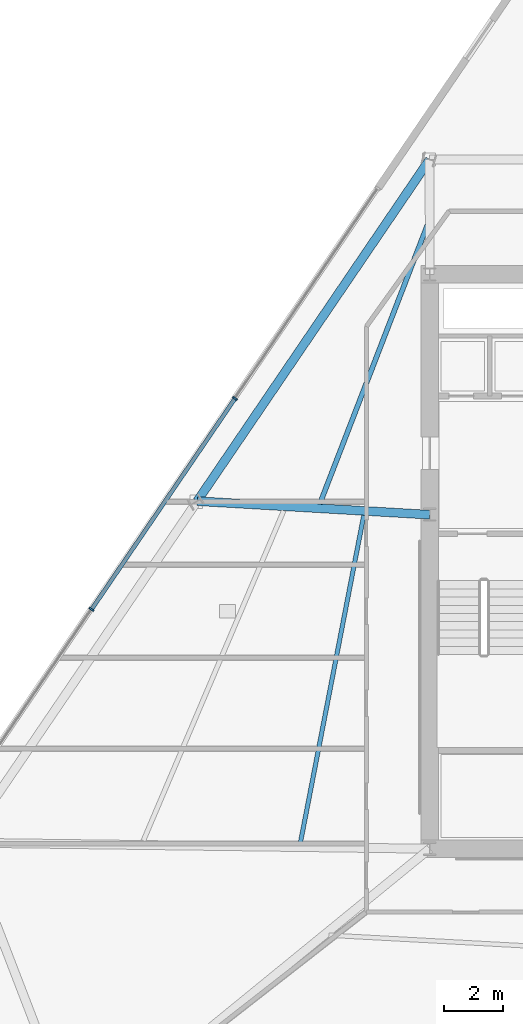
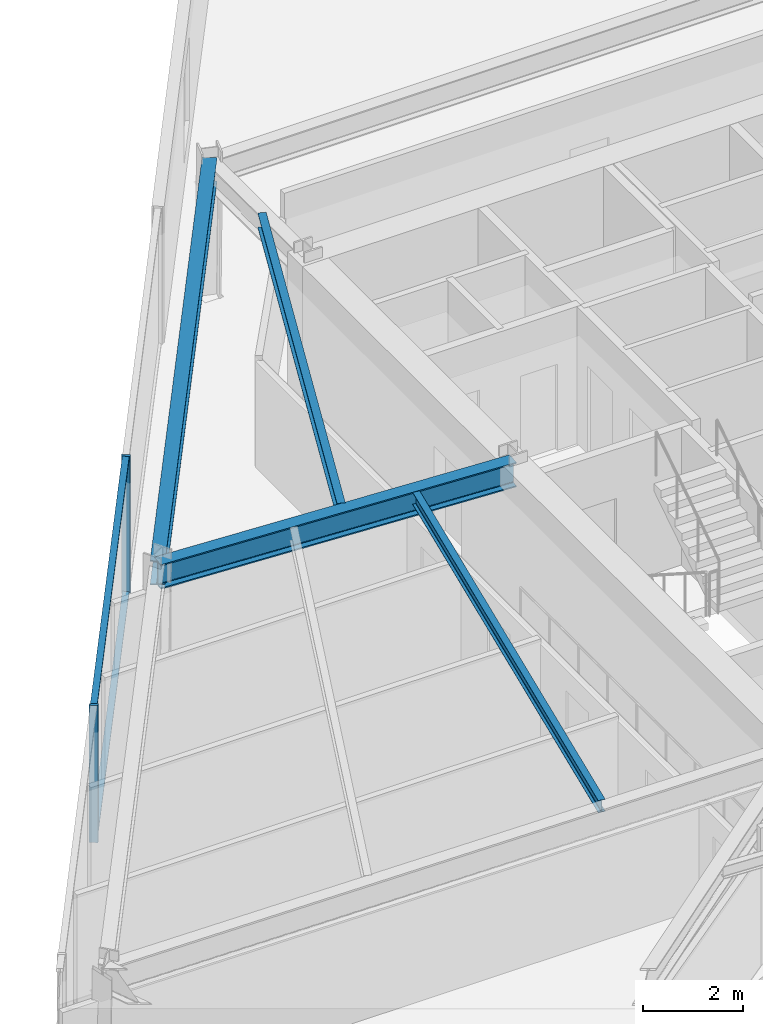
# One storey, part 4 of 17: 4 beams, 4 members, 1 element without a shape of its own.
"""IFC4 building model written with IfcOpenShell, lengths in metres."""

from ifc_helpers import new_model, si_unit, direction, frame, origin, origin_2d, place, context, subcontext, project, spatial, rectangle, i_section, extrude, material, material_profile, profile_set, type_object, element, aggregate, save


model = new_model("IFC4")

# Units and contexts
model_context = context("Model", 3, precision=1e-05, world=origin(), true_north=direction((0.0, 1.0)))
body_context = subcontext(model_context, "Body", "Model", "MODEL_VIEW")
ifc_project = project(units=[si_unit("LENGTHUNIT", "METRE"), si_unit("AREAUNIT", "SQUARE_METRE"), si_unit("VOLUMEUNIT", "CUBIC_METRE"), si_unit("PLANEANGLEUNIT", "RADIAN"), si_unit("MASSUNIT", "GRAM", prefix="KILO")], contexts=[model_context])

# Site, building, storey
site_placement = place(None, origin())
site = spatial("IfcSite", under=ifc_project, at=site_placement, CompositionType="ELEMENT")
building_placement = place(site_placement, origin())
building = spatial("IfcBuilding", under=site, at=building_placement, Name="Savorim Split Tower", CompositionType="ELEMENT")
storey_placement = place(building_placement, frame((0.0, 0.0, 55.199951171875)))
storey = spatial("IfcBuildingStorey", under=building, at=storey_placement, Name="L14", CompositionType="ELEMENT", Elevation=55.199951171875)

# Beams
ifc_material_1 = material(Name="Steel S355", Category="steel")
ifc_material_profile_1 = material_profile(ifc_material_1, i_section(OverallWidth=0.14990234375, OverallDepth=0.300048828125, WebThickness=0.007080078125, FlangeThickness=0.0107421875, FilletRadius=0.014892578125, at=origin_2d()), Name="IPE 300")
ifc_profile_set_1 = profile_set([ifc_material_profile_1], Name="Steel S355")
beam_type_1 = type_object("IfcBeamType", Name="BM-JST-IPE300", PredefinedType="JOIST", material=ifc_profile_set_1)
beam_1_placement = place(storey_placement, frame((-9.95263671875, 1.972412109375, 3.199951171875), z_axis=(-0.190035265851, -0.981777264828, 0.0), x_axis=(0.981777264828, -0.190035265851, 0.0)))
element("IfcBeam", 1, at=beam_1_placement, inside=storey, type_object=beam_type_1, Name="L14 Secondary Floor Joist JS-11", PredefinedType="JOIST", context=body_context, shape_type="SweptSolid", body=[
    extrude(i_section(OverallWidth=0.14990234375, OverallDepth=0.300048828125, WebThickness=0.007080078125, FlangeThickness=0.0107421875, FilletRadius=0.014892578125, at=origin_2d()), origin(), (0.0, 0.0, 1.0), 11.364501953125),
])
ifc_material_profile_2 = material_profile(ifc_material_1, i_section(OverallWidth=0.169921875, OverallDepth=0.360107421875, WebThickness=0.008056640625, FlangeThickness=0.0126953125, FilletRadius=0.01806640625, at=origin_2d()), Name="IPE 360")
ifc_profile_set_2 = profile_set([ifc_material_profile_2], Name="Steel S355")
beam_type_2 = type_object("IfcBeamType", Name="BM-JST-IPE360", PredefinedType="JOIST", material=ifc_profile_set_2)
beam_2_placement = place(storey_placement, frame((-7.760986328125, 11.931884765625, 3.170166015625), z_axis=(-0.360171258375, -0.932886201335, 0.0), x_axis=(0.932886201335, -0.360171258375, 0.0)))
element("IfcBeam", 2, at=beam_2_placement, inside=storey, type_object=beam_type_2, Name="L14 Secondary Floor Joist JS-09", PredefinedType="JOIST", context=body_context, shape_type="SweptSolid", body=[
    extrude(i_section(OverallWidth=0.169921875, OverallDepth=0.360107421875, WebThickness=0.008056640625, FlangeThickness=0.0126953125, FilletRadius=0.01806640625, at=origin_2d()), origin(), (0.0, 0.0, 1.0), 10.248291015625),
])
ifc_material_profile_3 = material_profile(ifc_material_1, i_section(OverallWidth=0.300048828125, OverallDepth=0.60009765625, WebThickness=0.015380859375, FlangeThickness=0.030029296875, FilletRadius=0.027099609375, at=origin_2d()), Name="HEB 600")
ifc_profile_set_3 = profile_set([ifc_material_profile_3], Name="Steel S355")
beam_type_3 = type_object("IfcBeamType", Name="BM-PRI-HEB600", PredefinedType="BEAM", material=ifc_profile_set_3)
beam_3_placement = place(storey_placement, frame((-15.636962890625, 2.462890625, 3.050048828125), z_axis=(0.998303684674, -0.058221586778, 0.0), x_axis=(0.058221586778, 0.998303684674, 0.0)))
element("IfcBeam", 3, at=beam_3_placement, inside=storey, type_object=beam_type_3, Name="L14 Primary Floor Girder RG-09", PredefinedType="BEAM", context=body_context, shape_type="SweptSolid", body=[
    extrude(i_section(OverallWidth=0.300048828125, OverallDepth=0.60009765625, WebThickness=0.015380859375, FlangeThickness=0.030029296875, FilletRadius=0.027099609375, at=origin_2d()), origin(), (0.0, 0.0, 1.0), 7.950439453125),
])
ifc_material_profile_4 = material_profile(ifc_material_1, i_section(OverallWidth=0.300048828125, OverallDepth=0.590087890625, WebThickness=0.012939453125, FlangeThickness=0.02490234375, FilletRadius=0.027099609375, at=origin_2d()), Name="HEA 600")
ifc_profile_set_4 = profile_set([ifc_material_profile_4], Name="Steel S355")
beam_type_4 = type_object("IfcBeamType", Name="BM-SPN-HEA600", PredefinedType="SPANDREL", material=ifc_profile_set_4)
beam_4_placement = place(storey_placement, frame((-7.707275390625, 14.119140625, 3.054931640625), z_axis=(-0.562476744306, -0.826813105916, 0.0), x_axis=(0.826813105916, -0.562476744306, 0.0)))
element("IfcBeam", 4, at=beam_4_placement, inside=storey, type_object=beam_type_4, Name="L14 Perimeter Spandrel Beam 8", PredefinedType="SPANDREL", context=body_context, shape_type="SweptSolid", body=[
    extrude(i_section(OverallWidth=0.300048828125, OverallDepth=0.590087890625, WebThickness=0.012939453125, FlangeThickness=0.02490234375, FilletRadius=0.027099609375, at=origin_2d()), origin(), (0.0, 0.0, 1.0), 14.097900390625),
])

# Curtain wall, members
ifc_material_2 = material(Name="Dark Ceramic-Fritted Insulated Glass", Category="glass")
curtain_wall_type = type_object("IfcCurtainWallType", Name="CW-TWR-FRIT-A", PredefinedType="NOTDEFINED", material=ifc_material_2)
curtain_wall_placement = place(storey_placement, origin())
curtain_wall = element("IfcCurtainWall", 5, at=curtain_wall_placement, inside=storey, type_object=curtain_wall_type, Name="L14 Curtain Wall CW-L14-WEST", PredefinedType="NOTDEFINED")
ifc_material_3 = material(Name="Charcoal Anodised Aluminium", Category="aluminium")
ifc_material_profile_5 = material_profile(ifc_material_3, rectangle(XDim=0.179931640625, YDim=0.06494140625, at=origin_2d()), Name="ALU-M 180x65")
ifc_profile_set_5 = profile_set([ifc_material_profile_5], Name="Charcoal Anodised Aluminium")
member_type_1 = type_object("IfcMemberType", Name="CWM-180x65", PredefinedType="MULLION", material=ifc_profile_set_5)
member_1_placement = place(storey_placement, frame((-14.34619140625, 5.967041015625, 0.0), z_axis=(0.0, 0.0, 1.0), x_axis=(0.826820172644, -0.562466356423, 0.0)))
member_1 = element("IfcMember", 6, at=member_1_placement, type_object=member_type_1, Name="CW-02 mullion 2", PredefinedType="MULLION", context=body_context, shape_type="SweptSolid", body=[
    extrude(rectangle(XDim=0.179931640625, YDim=0.06494140625, at=origin_2d()), origin(), (0.0, 0.0, 1.0), 3.35009765625),
])
member_2_placement = place(storey_placement, frame((-19.24169921875, -1.229248046875, 0.0), z_axis=(0.0, 0.0, 1.0), x_axis=(0.826820172644, -0.562466356423, 0.0)))
member_2 = element("IfcMember", 7, at=member_2_placement, type_object=member_type_1, Name="CW-02 mullion 3", PredefinedType="MULLION", context=body_context, shape_type="SweptSolid", body=[
    extrude(rectangle(XDim=0.179931640625, YDim=0.06494140625, at=origin_2d()), origin(), (0.0, 0.0, 1.0), 3.35009765625),
])
ifc_material_profile_6 = material_profile(ifc_material_3, rectangle(XDim=0.139892578125, YDim=0.054931640625, at=origin_2d()), Name="ALU-T 140x55")
ifc_profile_set_6 = profile_set([ifc_material_profile_6], Name="Charcoal Anodised Aluminium")
member_type_2 = type_object("IfcMemberType", Name="CWT-140x55", PredefinedType="USERDEFINED", material=ifc_profile_set_6)
member_3_placement = place(storey_placement, frame((-14.364501953125, 5.940185546875, 0.027587890625), z_axis=(-0.562463069867, -0.826822408402, 0.0), x_axis=(0.826822408402, -0.562463069867, 0.0)))
member_3 = element("IfcMember", 8, at=member_3_placement, type_object=member_type_2, Name="CW-02 transom 2.1", ObjectType="TRANSOM", PredefinedType="USERDEFINED", context=body_context, shape_type="SweptSolid", body=[
    extrude(rectangle(XDim=0.139892578125, YDim=0.054931640625, at=origin_2d()), origin(), (0.0, 0.0, 1.0), 8.638671875),
])
member_4_placement = place(storey_placement, frame((-14.364501953125, 5.940185546875, 3.322509765625), z_axis=(-0.562463069867, -0.826822408402, 0.0), x_axis=(0.826822408402, -0.562463069867, 0.0)))
member_4 = element("IfcMember", 9, at=member_4_placement, type_object=member_type_2, Name="CW-02 transom 2.2", ObjectType="TRANSOM", PredefinedType="USERDEFINED", context=body_context, shape_type="SweptSolid", body=[
    extrude(rectangle(XDim=0.139892578125, YDim=0.054931640625, at=origin_2d()), origin(), (0.0, 0.0, 1.0), 8.638671875),
])
aggregate(curtain_wall, [member_1, member_2, member_3, member_4])

save(model, "model.ifc")
